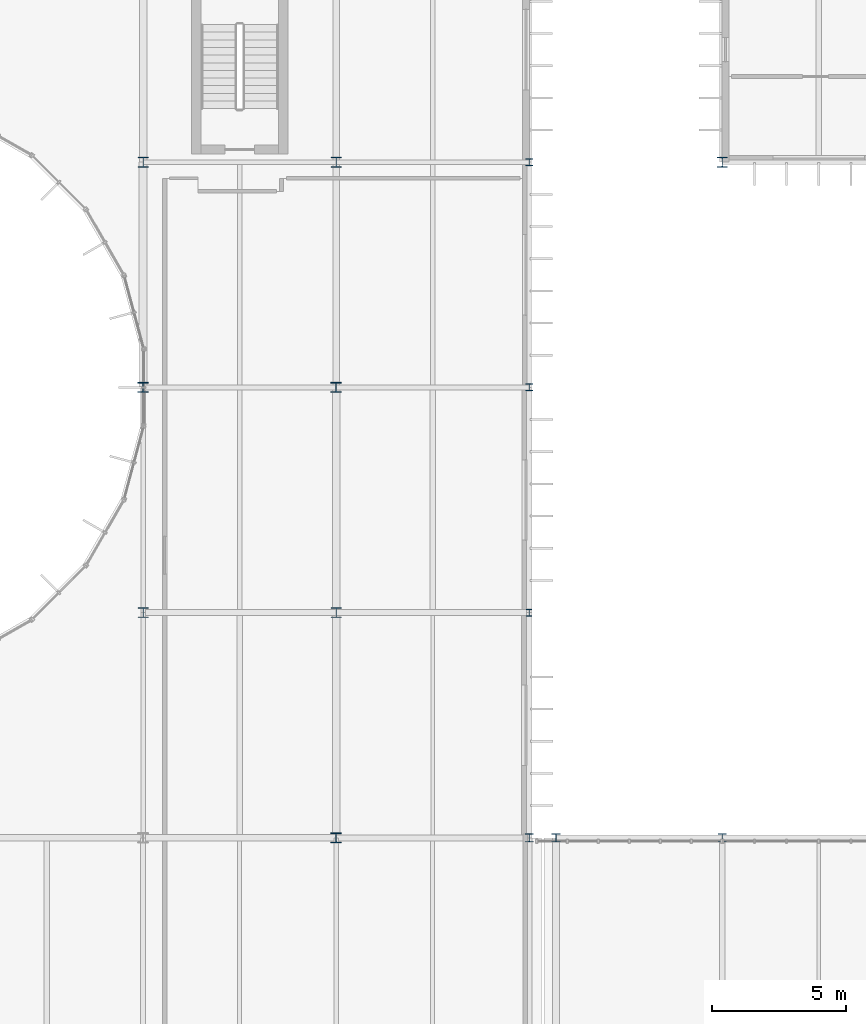
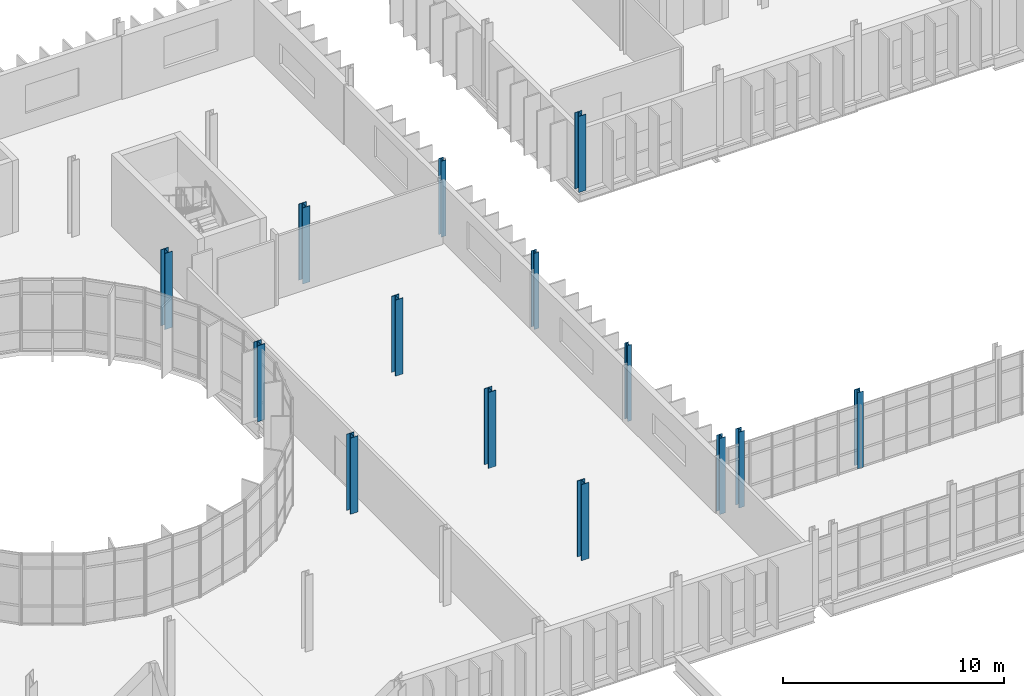
# One storey, part 14 of 119: 14 columns.
"""IFC4 building model written with IfcOpenShell, lengths in metres."""

from ifc_helpers import new_model, si_unit, direction, frame, origin, origin_2d, place, context, subcontext, project, spatial, i_section, extrude, material, material_profile, profile_set, type_object, element, save


model = new_model("IFC4")

# Units and contexts
model_context = context("Model", 3, precision=1e-05, world=origin(), true_north=direction((0.0, 1.0)))
body_context = subcontext(model_context, "Body", "Model", "MODEL_VIEW")
ifc_project = project(units=[si_unit("LENGTHUNIT", "METRE"), si_unit("AREAUNIT", "SQUARE_METRE"), si_unit("VOLUMEUNIT", "CUBIC_METRE"), si_unit("PLANEANGLEUNIT", "RADIAN"), si_unit("MASSUNIT", "GRAM", prefix="KILO")], contexts=[model_context])

# Site, building, storey
site_placement = place(None, origin())
site = spatial("IfcSite", under=ifc_project, at=site_placement, CompositionType="ELEMENT")
building_placement = place(site_placement, origin())
building = spatial("IfcBuilding", under=site, at=building_placement, Name="Qelthora Terrace Specialist Clinic", CompositionType="ELEMENT")
storey_placement = place(building_placement, frame((0.0, 0.0, 4.800048828125)))
storey = spatial("IfcBuildingStorey", under=building, at=storey_placement, Name="L01", CompositionType="ELEMENT", Elevation=4.800048828125)

# Columns
ifc_material = material(Name="Steel S355", Category="steel")
ifc_material_profile_1 = material_profile(ifc_material, i_section(OverallWidth=0.2041015625, OverallDepth=0.257080078125, WebThickness=0.0087890625, FlangeThickness=0.015625, FilletRadius=0.012939453125, at=origin_2d()), Name="W250X67")
ifc_profile_set_1 = profile_set([ifc_material_profile_1], Name="Steel S355")
column_type_1 = type_object("IfcColumnType", Name="COL-W250X67", PredefinedType="COLUMN", material=ifc_profile_set_1)
column_1_placement = place(storey_placement, frame((50.39990234375, 75.60009765625, 0.0), z_axis=(0.0, 0.0, 1.0), x_axis=(1.0, 0.0, 0.0)))
element("IfcColumn", 1, at=column_1_placement, inside=storey, type_object=column_type_1, Name="Column L01-095", PredefinedType="COLUMN", context=body_context, shape_type="SweptSolid", body=[
    extrude(i_section(OverallWidth=0.2041015625, OverallDepth=0.257080078125, WebThickness=0.0087890625, FlangeThickness=0.015625, FilletRadius=0.012939453125, at=origin_2d()), origin(), (0.0, 0.0, 1.0), 4.199951171875),
])
ifc_material_profile_2 = material_profile(ifc_material, i_section(OverallWidth=0.2548828125, OverallDepth=0.256103515625, WebThickness=0.009521484375, FlangeThickness=0.015625, FilletRadius=0.012939453125, at=origin_2d()), Name="W250X80")
ifc_profile_set_2 = profile_set([ifc_material_profile_2], Name="Steel S355")
column_type_2 = type_object("IfcColumnType", Name="COL-W250X80", PredefinedType="COLUMN", material=ifc_profile_set_2)
column_2_placement = place(storey_placement, frame((50.39990234375, 92.39990234375, 0.0), z_axis=(0.0, 0.0, 1.0), x_axis=(1.0, 0.0, 0.0)))
element("IfcColumn", 2, at=column_2_placement, inside=storey, type_object=column_type_2, Name="Column L01-097", PredefinedType="COLUMN", context=body_context, shape_type="SweptSolid", body=[
    extrude(i_section(OverallWidth=0.2548828125, OverallDepth=0.256103515625, WebThickness=0.009521484375, FlangeThickness=0.015625, FilletRadius=0.012939453125, at=origin_2d()), origin(), (0.0, 0.0, 1.0), 4.199951171875),
])
ifc_material_profile_3 = material_profile(ifc_material, i_section(OverallWidth=0.256103515625, OverallDepth=0.260009765625, WebThickness=0.0107421875, FlangeThickness=0.017333984375, FilletRadius=0.012939453125, at=origin_2d()), Name="W250X89")
ifc_profile_set_3 = profile_set([ifc_material_profile_3], Name="Steel S355")
column_type_3 = type_object("IfcColumnType", Name="COL-W250X89", PredefinedType="COLUMN", material=ifc_profile_set_3)
column_3_placement = place(storey_placement, frame((50.39990234375, 84.0, 0.0), z_axis=(0.0, 0.0, 1.0), x_axis=(1.0, 0.0, 0.0)))
element("IfcColumn", 3, at=column_3_placement, inside=storey, type_object=column_type_3, Name="Column L01-096", PredefinedType="COLUMN", context=body_context, shape_type="SweptSolid", body=[
    extrude(i_section(OverallWidth=0.256103515625, OverallDepth=0.260009765625, WebThickness=0.0107421875, FlangeThickness=0.017333984375, FilletRadius=0.012939453125, at=origin_2d()), origin(), (0.0, 0.0, 1.0), 4.199951171875),
])
ifc_material_profile_4 = material_profile(ifc_material, i_section(OverallWidth=0.305908203125, OverallDepth=0.31103515625, WebThickness=0.010986328125, FlangeThickness=0.01708984375, FilletRadius=0.014892578125, at=origin_2d()), Name="W310X107")
ifc_profile_set_4 = profile_set([ifc_material_profile_4], Name="Steel S355")
column_type_4 = type_object("IfcColumnType", Name="COL-W310X107", PredefinedType="COLUMN", material=ifc_profile_set_4)
for number, where, z_axis, x_axis, name in (
    (4, (50.39990234375, 67.199951171875, 0.0), (0.0, 0.0, 1.0), (1.0, 0.0, 0.0), "Column L01-094"),
    (5, (51.39990234375, 67.199951171875, 0.0), (0.0, 0.0, 1.0), (1.0, 0.0, 0.0), "Column L01-103"),
):
    element("IfcColumn", number, at=place(storey_placement, frame(where, z_axis=z_axis, x_axis=x_axis)), inside=storey, type_object=column_type_4, Name=name, PredefinedType="COLUMN", context=body_context, shape_type="SweptSolid", body=[
        extrude(i_section(OverallWidth=0.305908203125, OverallDepth=0.31103515625, WebThickness=0.010986328125, FlangeThickness=0.01708984375, FilletRadius=0.014892578125, at=origin_2d()), origin(), (0.0, 0.0, 1.0), 4.199951171875),
    ])
ifc_material_profile_5 = material_profile(ifc_material, i_section(OverallWidth=0.304931640625, OverallDepth=0.30810546875, WebThickness=0.010009765625, FlangeThickness=0.015380859375, FilletRadius=0.014892578125, at=origin_2d()), Name="W310X97")
ifc_profile_set_5 = profile_set([ifc_material_profile_5], Name="Steel S355")
column_type_5 = type_object("IfcColumnType", Name="COL-W310X97", PredefinedType="COLUMN", material=ifc_profile_set_5)
column_4_placement = place(storey_placement, frame((57.60009765625, 67.199951171875, 0.0), z_axis=(0.0, 0.0, 1.0), x_axis=(1.0, 0.0, 0.0)))
element("IfcColumn", 6, at=column_4_placement, inside=storey, type_object=column_type_5, Name="Column L01-110", PredefinedType="COLUMN", context=body_context, shape_type="SweptSolid", body=[
    extrude(i_section(OverallWidth=0.304931640625, OverallDepth=0.30810546875, WebThickness=0.010009765625, FlangeThickness=0.015380859375, FilletRadius=0.014892578125, at=origin_2d()), origin(), (0.0, 0.0, 1.0), 4.199951171875),
])
ifc_material_profile_6 = material_profile(ifc_material, i_section(OverallWidth=0.3740234375, OverallDepth=0.3720703125, WebThickness=0.016357421875, FlangeThickness=0.026123046875, FilletRadius=0.02001953125, at=origin_2d()), Name="W360X196")
ifc_profile_set_6 = profile_set([ifc_material_profile_6], Name="Steel S355")
column_type_6 = type_object("IfcColumnType", Name="COL-W360X196", PredefinedType="COLUMN", material=ifc_profile_set_6)
column_5_placement = place(storey_placement, frame((57.60009765625, 92.39990234375, 0.0), z_axis=(0.0, 0.0, 1.0), x_axis=(1.0, 0.0, 0.0)))
element("IfcColumn", 7, at=column_5_placement, inside=storey, type_object=column_type_6, Name="Column L01-111", PredefinedType="COLUMN", context=body_context, shape_type="SweptSolid", body=[
    extrude(i_section(OverallWidth=0.3740234375, OverallDepth=0.3720703125, WebThickness=0.016357421875, FlangeThickness=0.026123046875, FilletRadius=0.02001953125, at=origin_2d()), origin(), (0.0, 0.0, 1.0), 4.199951171875),
])
ifc_material_profile_7 = material_profile(ifc_material, i_section(OverallWidth=0.39404296875, OverallDepth=0.375, WebThickness=0.017333984375, FlangeThickness=0.027587890625, FilletRadius=0.02001953125, at=origin_2d()), Name="W360X216")
ifc_profile_set_7 = profile_set([ifc_material_profile_7], Name="Steel S355")
column_type_7 = type_object("IfcColumnType", Name="COL-W360X216", PredefinedType="COLUMN", material=ifc_profile_set_7)
for number, where, z_axis, x_axis, name in (
    (8, (36.0, 84.0, 0.0), (0.0, 0.0, 1.0), (1.0, 0.0, 0.0), "Column L01-075"),
    (9, (43.199951171875, 67.199951171875, 0.0), (0.0, 0.0, 1.0), (1.0, 0.0, 0.0), "Column L01-087"),
    (10, (43.199951171875, 84.0, 0.0), (0.0, 0.0, 1.0), (1.0, 0.0, 0.0), "Column L01-089"),
):
    element("IfcColumn", number, at=place(storey_placement, frame(where, z_axis=z_axis, x_axis=x_axis)), inside=storey, type_object=column_type_7, Name=name, PredefinedType="COLUMN", context=body_context, shape_type="SweptSolid", body=[
        extrude(i_section(OverallWidth=0.39404296875, OverallDepth=0.375, WebThickness=0.017333984375, FlangeThickness=0.027587890625, FilletRadius=0.02001953125, at=origin_2d()), origin(), (0.0, 0.0, 1.0), 4.199951171875),
    ])
ifc_material_profile_8 = material_profile(ifc_material, i_section(OverallWidth=0.39501953125, OverallDepth=0.3798828125, WebThickness=0.018798828125, FlangeThickness=0.0302734375, FilletRadius=0.02001953125, at=origin_2d()), Name="W360X237")
ifc_profile_set_8 = profile_set([ifc_material_profile_8], Name="Steel S355")
column_type_8 = type_object("IfcColumnType", Name="COL-W360X237", PredefinedType="COLUMN", material=ifc_profile_set_8)
for number, where, z_axis, x_axis, name in (
    (11, (36.0, 75.60009765625, 0.0), (0.0, 0.0, 1.0), (1.0, 0.0, 0.0), "Column L01-074"),
    (12, (36.0, 92.39990234375, 0.0), (0.0, 0.0, 1.0), (1.0, 0.0, 0.0), "Column L01-076"),
    (13, (43.199951171875, 75.60009765625, 0.0), (0.0, 0.0, 1.0), (1.0, 0.0, 0.0), "Column L01-088"),
    (14, (43.199951171875, 92.39990234375, 0.0), (0.0, 0.0, 1.0), (1.0, 0.0, 0.0), "Column L01-090"),
):
    element("IfcColumn", number, at=place(storey_placement, frame(where, z_axis=z_axis, x_axis=x_axis)), inside=storey, type_object=column_type_8, Name=name, PredefinedType="COLUMN", context=body_context, shape_type="SweptSolid", body=[
        extrude(i_section(OverallWidth=0.39501953125, OverallDepth=0.3798828125, WebThickness=0.018798828125, FlangeThickness=0.0302734375, FilletRadius=0.02001953125, at=origin_2d()), origin(), (0.0, 0.0, 1.0), 4.199951171875),
    ])

save(model, "model.ifc")
